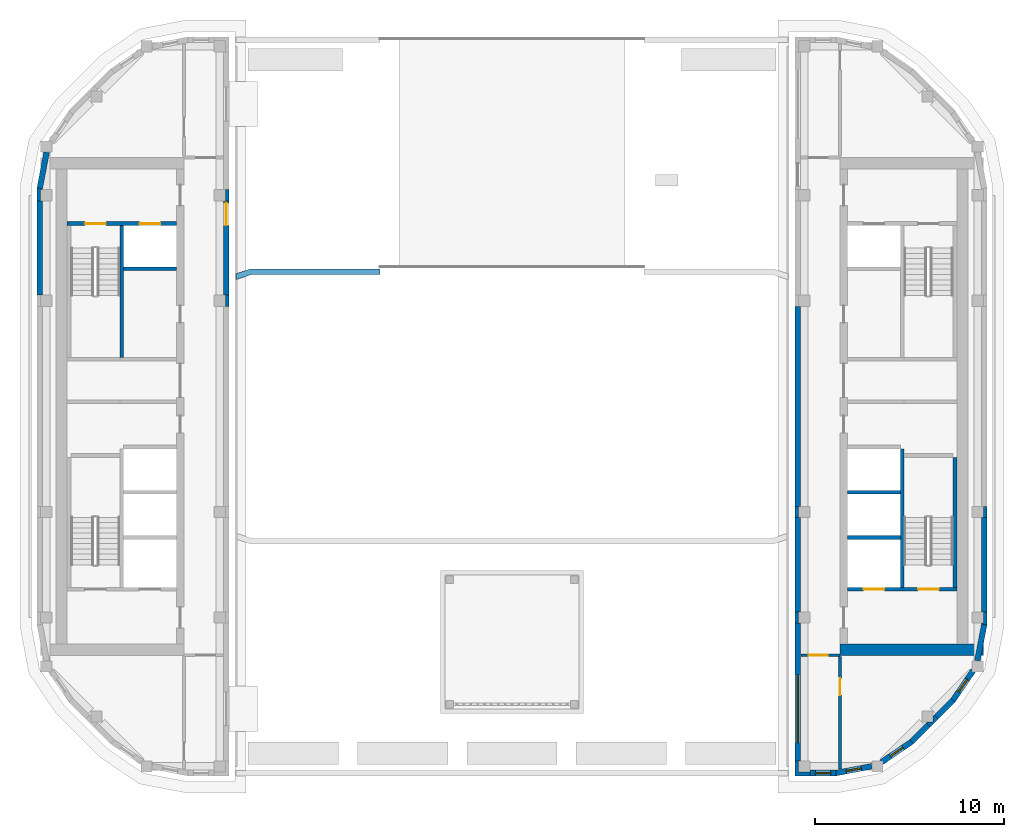
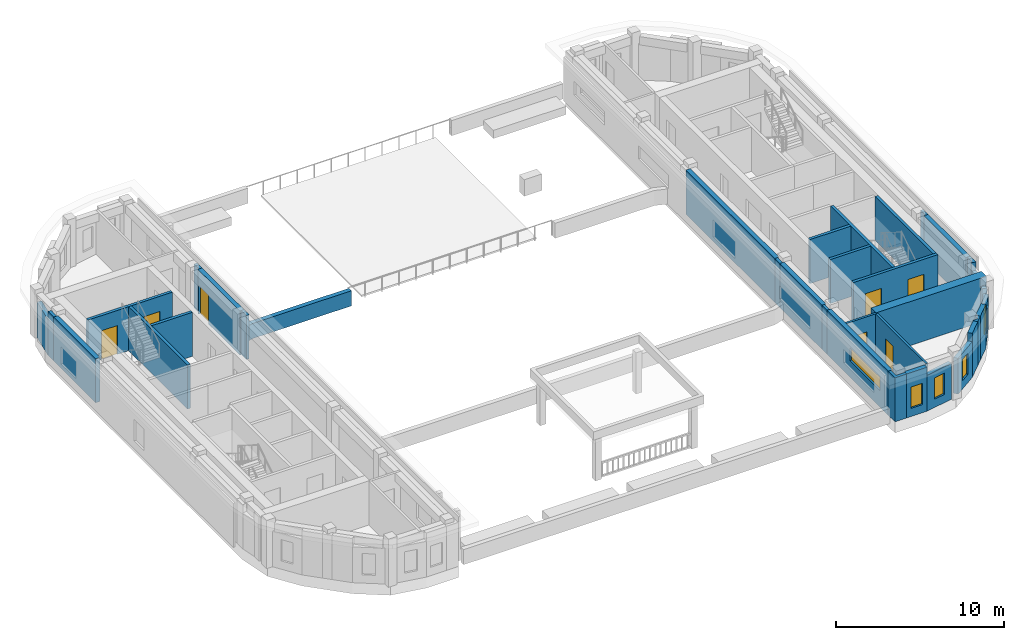
# One storey, part 3 of 14: 35 walls, 7 doors, 5 windows, 12 openings.
"""IFC4 building model written with IfcOpenShell, lengths in metres."""

from ifc_helpers import new_model, si_unit, direction, frame, frame_2d, origin, place, context, subcontext, project, spatial, polyline, rectangle, outline, extrude, material, layer, layer_set, type_object, element, fill, save


model = new_model("IFC4")

# Units and contexts
model_context = context("Model", 3, precision=1e-05, world=origin(), true_north=direction((0.0, 1.0)))
body_context = subcontext(model_context, "Body", "Model", "MODEL_VIEW")
ifc_project = project(units=[si_unit("LENGTHUNIT", "METRE"), si_unit("AREAUNIT", "SQUARE_METRE"), si_unit("VOLUMEUNIT", "CUBIC_METRE"), si_unit("PLANEANGLEUNIT", "RADIAN"), si_unit("MASSUNIT", "GRAM", prefix="KILO")], contexts=[model_context])

# Site, building, storey
site_placement = place(None, origin())
site = spatial("IfcSite", under=ifc_project, at=site_placement, CompositionType="ELEMENT")
building_placement = place(site_placement, origin())
building = spatial("IfcBuilding", under=site, at=building_placement, Name="Kiln Ring Residences", CompositionType="ELEMENT")
storey_placement = place(building_placement, frame((0.0, 0.0, 299.89990234375)))
storey = spatial("IfcBuildingStorey", under=building, at=storey_placement, Name="L77 Crown", CompositionType="ELEMENT", Elevation=299.89990234375)

# Walls
ifc_material_1 = material(Name="Gypsum shaft wall system")
ifc_layer_1 = layer(ifc_material_1, 0.199951171875)
ifc_layer_set_1 = layer_set([ifc_layer_1], Name="CORE-SHAFT-WALL-200")
wall_type_1 = type_object("IfcWallType", Name="CORE-SHAFT-WALL-200", PredefinedType="PARTITIONING", material=ifc_layer_set_1)
for number, where, z_axis, x_axis, name in (
    (1, (-17.800048828125, 7.300048828125, 0.0), (0.0, 0.0, 1.0), (-1.0, 0.0, 0.0), "Core partition west L77 Crown 7"),
    (2, (17.800048828125, -6.949951171875, 0.0), (0.0, 0.0, 1.0), (1.0, 0.0, 0.0), "Core partition east L77 Crown 2"),
    (3, (17.800048828125, -4.550048828125, 0.0), (0.0, 0.0, 1.0), (1.0, 0.0, 0.0), "Core partition east L77 Crown 3"),
):
    element("IfcWall", number, at=place(storey_placement, frame(where, z_axis=z_axis, x_axis=x_axis)), inside=storey, type_object=wall_type_1, Name=name, PredefinedType="PARTITIONING", context=body_context, shape_type="SweptSolid", body=[
        extrude(rectangle(XDim=2.800048828125, YDim=0.199951171875, at=frame_2d((1.39990234375, 0.0))), origin(), (0.0, 0.0, 1.0), 3.2001953125),
    ])
ifc_material_2 = material(Name="Concrete C40/50", Category="concrete")
ifc_layer_2 = layer(ifc_material_2, 0.199951171875)
ifc_layer_set_2 = layer_set([ifc_layer_2], Name="CORE-WALL-RC200")
wall_type_2 = type_object("IfcWallType", Name="CORE-WALL-RC200", PredefinedType="SHEAR", material=ifc_layer_set_2)
wall_1_placement = place(storey_placement, frame((-20.699951171875, 2.60009765625, 0.0), z_axis=(0.0, 0.0, 1.0), x_axis=(0.0, 1.0, 0.0)))
element("IfcWall", 4, at=wall_1_placement, inside=storey, type_object=wall_type_2, Name="Core wall west L77 Crown 1", PredefinedType="SHEAR", context=body_context, shape_type="SweptSolid", body=[
    extrude(rectangle(XDim=7.0, YDim=0.199951171875, at=frame_2d((3.5, 0.0))), origin(), (0.0, 0.0, 1.0), 3.2001953125),
])

# Wall, openings, doors
wall_2_placement = place(storey_placement, frame((-17.800048828125, 9.699951171875, 0.0), z_axis=(0.0, 0.0, 1.0), x_axis=(-1.0, 0.0, 0.0)))
wall_2 = element("IfcWall", 5, at=wall_2_placement, inside=storey, type_object=wall_type_2, Name="Core wall west L77 Crown 9", PredefinedType="SHEAR", context=body_context, shape_type="SweptSolid", body=[
    extrude(rectangle(XDim=5.800048828125, YDim=0.199951171875, at=frame_2d((2.89990234375, 0.0))), origin(), (0.0, 0.0, 1.0), 3.2001953125),
])
opening_1_placement = place(wall_2_placement, frame((0.85009765625, 0.0, 0.0)))
opening_1 = element("IfcOpeningElement", 6, at=opening_1_placement, cuts=wall_2, Name="Opening L77-CW04", PredefinedType="OPENING", context=body_context, shape_type="SweptSolid", body=[
    extrude(rectangle(XDim=1.10009765625, YDim=2.10009765625, at=frame_2d((0.550048828125, 1.050048828125))), frame((0.0, 0.10986328125, 0.0), z_axis=(0.0, -1.0, 0.0), x_axis=(1.0, 0.0, 0.0)), (0.0, 0.0, 1.0), 0.219970703125),
])
opening_2_placement = place(wall_2_placement, frame((3.75, 0.0, 0.0)))
opening_2 = element("IfcOpeningElement", 7, at=opening_2_placement, cuts=wall_2, Name="Opening L77-CW07", PredefinedType="OPENING", context=body_context, shape_type="SweptSolid", body=[
    extrude(rectangle(XDim=1.10009765625, YDim=2.10009765625, at=frame_2d((0.550048828125, 1.050048828125))), frame((0.0, 0.10986328125, 0.0), z_axis=(0.0, -1.0, 0.0), x_axis=(1.0, 0.0, 0.0)), (0.0, 0.0, 1.0), 0.219970703125),
])
ifc_material_3 = material(Name="Steel door leaf", Category="steel")
door_type_1 = type_object("IfcDoorType", Name="CORE-DOOR-LD", OperationType="DOUBLE_DOOR_SLIDING", PredefinedType="DOOR", material=ifc_material_3)
door_1_placement = place(opening_1_placement, origin())
door_1 = element("IfcDoor", 8, at=door_1_placement, inside=storey, type_object=door_type_1, Name="LD W-FF L77-CW04", OperationType="DOUBLE_DOOR_SLIDING", OverallHeight=2.10009765625, OverallWidth=1.10009765625, PredefinedType="DOOR", context=body_context, shape_type="SweptSolid", body=[
    extrude(rectangle(XDim=1.10009765625, YDim=2.10009765625, at=frame_2d((0.550048828125, 1.050048828125))), frame((0.0, 0.02490234375, 0.0), z_axis=(0.0, -1.0, 0.0), x_axis=(1.0, 0.0, 0.0)), (0.0, 0.0, 1.0), 0.050048828125),
])
fill(opening_1, door_1)
ifc_material_4 = material(Name="Steel door leaf", Category="steel")
door_type_2 = type_object("IfcDoorType", Name="CORE-DOOR-STAIR", OperationType="SINGLE_SWING_LEFT", PredefinedType="DOOR", material=ifc_material_4)
door_2_placement = place(opening_2_placement, origin())
door_2 = element("IfcDoor", 9, at=door_2_placement, inside=storey, type_object=door_type_2, Name="Stair W-STN L77-CW07", OperationType="SINGLE_SWING_LEFT", OverallHeight=2.10009765625, OverallWidth=1.10009765625, PredefinedType="DOOR", context=body_context, shape_type="SweptSolid", body=[
    extrude(rectangle(XDim=1.10009765625, YDim=2.10009765625, at=frame_2d((0.550048828125, 1.050048828125))), frame((0.0, 0.02490234375, 0.0), z_axis=(0.0, -1.0, 0.0), x_axis=(1.0, 0.0, 0.0)), (0.0, 0.0, 1.0), 0.050048828125),
])
fill(opening_2, door_2)

# Wall
wall_3_placement = place(storey_placement, frame((20.699951171875, -9.60009765625, 0.0), z_axis=(0.0, 0.0, 1.0), x_axis=(0.0, 1.0, 0.0)))
element("IfcWall", 10, at=wall_3_placement, inside=storey, type_object=wall_type_2, Name="Core wall east L77 Crown 2", PredefinedType="SHEAR", context=body_context, shape_type="SweptSolid", body=[
    extrude(rectangle(XDim=7.35009765625, YDim=0.199951171875, at=frame_2d((3.675048828125, 0.0))), origin(), (0.0, 0.0, 1.0), 3.2001953125),
])

# Wall, openings, doors
wall_4_placement = place(storey_placement, frame((17.800048828125, -9.699951171875, 0.0), z_axis=(0.0, 0.0, 1.0), x_axis=(1.0, 0.0, 0.0)))
wall_4 = element("IfcWall", 11, at=wall_4_placement, inside=storey, type_object=wall_type_2, Name="Core wall east L77 Crown 8", PredefinedType="SHEAR", context=body_context, shape_type="SweptSolid", body=[
    extrude(rectangle(XDim=5.800048828125, YDim=0.199951171875, at=frame_2d((2.89990234375, 0.0))), origin(), (0.0, 0.0, 1.0), 3.2001953125),
])
opening_3_placement = place(wall_4_placement, frame((0.85009765625, 0.0, 0.0)))
opening_3 = element("IfcOpeningElement", 12, at=opening_3_placement, cuts=wall_4, Name="Opening L77-CE01", PredefinedType="OPENING", context=body_context, shape_type="SweptSolid", body=[
    extrude(rectangle(XDim=1.10009765625, YDim=2.10009765625, at=frame_2d((0.550048828125, 1.050048828125))), frame((0.0, 0.10986328125, 0.0), z_axis=(0.0, -1.0, 0.0), x_axis=(1.0, 0.0, 0.0)), (0.0, 0.0, 1.0), 0.219970703125),
])
opening_4_placement = place(wall_4_placement, frame((3.75, 0.0, 0.0)))
opening_4 = element("IfcOpeningElement", 13, at=opening_4_placement, cuts=wall_4, Name="Opening L77-CE08", PredefinedType="OPENING", context=body_context, shape_type="SweptSolid", body=[
    extrude(rectangle(XDim=1.10009765625, YDim=2.10009765625, at=frame_2d((0.550048828125, 1.050048828125))), frame((0.0, 0.10986328125, 0.0), z_axis=(0.0, -1.0, 0.0), x_axis=(1.0, 0.0, 0.0)), (0.0, 0.0, 1.0), 0.219970703125),
])
door_3_placement = place(opening_3_placement, origin())
door_3 = element("IfcDoor", 14, at=door_3_placement, inside=storey, type_object=door_type_1, Name="LD E-SV L77-CE01", OperationType="DOUBLE_DOOR_SLIDING", OverallHeight=2.10009765625, OverallWidth=1.10009765625, PredefinedType="DOOR", context=body_context, shape_type="SweptSolid", body=[
    extrude(rectangle(XDim=1.10009765625, YDim=2.10009765625, at=frame_2d((0.550048828125, 1.050048828125))), frame((0.0, 0.02490234375, 0.0), z_axis=(0.0, -1.0, 0.0), x_axis=(1.0, 0.0, 0.0)), (0.0, 0.0, 1.0), 0.050048828125),
])
fill(opening_3, door_3)
door_4_placement = place(opening_4_placement, origin())
door_4 = element("IfcDoor", 15, at=door_4_placement, inside=storey, type_object=door_type_2, Name="Stair E-STS L77-CE08", OperationType="SINGLE_SWING_RIGHT", OverallHeight=2.10009765625, OverallWidth=1.10009765625, PredefinedType="DOOR", context=body_context, shape_type="SweptSolid", body=[
    extrude(rectangle(XDim=1.10009765625, YDim=2.10009765625, at=frame_2d((0.550048828125, 1.050048828125))), frame((0.0, 0.02490234375, 0.0), z_axis=(0.0, -1.0, 0.0), x_axis=(1.0, 0.0, 0.0)), (0.0, 0.0, 1.0), 0.050048828125),
])
fill(opening_4, door_4)

# Walls
wall_5_placement = place(storey_placement, frame((23.5, -9.60009765625, 0.0), z_axis=(0.0, 0.0, 1.0), x_axis=(0.0, 1.0, 0.0)))
element("IfcWall", 16, at=wall_5_placement, inside=storey, type_object=wall_type_2, Name="Core wall east L77 Crown 11", PredefinedType="SHEAR", context=body_context, shape_type="SweptSolid", body=[
    extrude(rectangle(XDim=6.900146484375, YDim=0.199951171875, at=frame_2d((3.4501953125, 0.0))), origin(), (0.0, 0.0, 1.0), 3.2001953125),
])
ifc_material_5 = material(Name="Concrete C60/75", Category="concrete")
ifc_layer_3 = layer(ifc_material_5, 0.60009765625)
ifc_layer_set_3 = layer_set([ifc_layer_3], Name="CORE-WALL-RC600")
wall_type_3 = type_object("IfcWallType", Name="CORE-WALL-RC600", PredefinedType="SHEAR", material=ifc_layer_set_3)
wall_6_placement = place(storey_placement, frame((17.39990234375, -12.89990234375, 0.0), z_axis=(0.0, 0.0, 1.0), x_axis=(1.0, 0.0, 0.0)))
element("IfcWall", 17, at=wall_6_placement, inside=storey, type_object=wall_type_3, Name="Core wall east L77 Crown 5", PredefinedType="SHEAR", context=body_context, shape_type="SweptSolid", body=[
    extrude(rectangle(XDim=7.60009765625, YDim=0.60009765625, at=frame_2d((3.800048828125, 0.0))), origin(), (0.0, 0.0, 1.0), 3.2001953125),
])

# Wall, opening, door
ifc_material_6 = material(Name="Brick masonry, dark clay brick", Category="masonry")
ifc_layer_4 = layer(ifc_material_6, 0.300048828125)
ifc_layer_set_4 = layer_set([ifc_layer_4], Name="EW-300 BRICK WALL")
wall_type_4 = type_object("IfcWallType", Name="EW-300 BRICK WALL", PredefinedType="SOLIDWALL", material=ifc_layer_set_4)
wall_7_placement = place(storey_placement, frame((-15.14990234375, 5.89990234375, 0.0), z_axis=(0.0, 0.0, 1.0), x_axis=(0.0, 1.0, 0.0)))
wall_7 = element("IfcWall", 18, at=wall_7_placement, inside=storey, type_object=wall_type_4, Name="Facade wall L77 Crown 7", PredefinedType="SOLIDWALL", context=body_context, shape_type="SweptSolid", body=[
    extrude(rectangle(XDim=5.0, YDim=0.300048828125, at=frame_2d((2.5, 0.0))), origin(), (0.0, 0.0, 1.0), 3.2001953125),
])
opening_5_placement = place(wall_7_placement, frame((3.699951171875, 0.0, 0.0)))
opening_5 = element("IfcOpeningElement", 19, at=opening_5_placement, cuts=wall_7, Name="Opening RD-W", PredefinedType="OPENING", context=body_context, shape_type="SweptSolid", body=[
    extrude(rectangle(XDim=1.199951171875, YDim=2.10009765625, at=frame_2d((0.60009765625, 1.050048828125))), frame((0.0, 0.159912109375, 0.0), z_axis=(0.0, -1.0, 0.0), x_axis=(1.0, 0.0, 0.0)), (0.0, 0.0, 1.0), 0.320068359375),
])
ifc_material_7 = material(Name="Steel door leaf", Category="steel")
door_type_3 = type_object("IfcDoorType", Name="ROOF ACCESS DOOR 1200", OperationType="SINGLE_SWING_LEFT", PredefinedType="DOOR", material=ifc_material_7)
door_5_placement = place(opening_5_placement, origin())
door_5 = element("IfcDoor", 20, at=door_5_placement, inside=storey, type_object=door_type_3, Name="Roof door west peak", OperationType="SINGLE_SWING_LEFT", OverallHeight=2.10009765625, OverallWidth=1.199951171875, PredefinedType="DOOR", context=body_context, shape_type="SweptSolid", body=[
    extrude(rectangle(XDim=1.199951171875, YDim=2.10009765625, at=frame_2d((0.60009765625, 1.050048828125))), frame((0.0, 0.02490234375, 0.0), z_axis=(0.0, -1.0, 0.0), x_axis=(1.0, 0.0, 0.0)), (0.0, 0.0, 1.0), 0.050048828125),
])
fill(opening_5, door_5)

# Walls
wall_8_placement = place(storey_placement, frame((-24.687744140625, 13.485107421875, 0.0), z_axis=(0.0, 0.0, 1.0), x_axis=(-0.187354129902, -0.982292436095, 0.0)))
element("IfcWall", 21, at=wall_8_placement, inside=storey, type_object=wall_type_4, Name="Facade wall L77 Crown 15", PredefinedType="SOLIDWALL", context=body_context, shape_type="SweptSolid", body=[
    extrude(rectangle(XDim=1.94677734375, YDim=0.300048828125, at=frame_2d((0.973388671875, 0.0))), origin(), (0.0, 0.0, 1.0), 2.60009765625),
])
wall_9_placement = place(storey_placement, frame((-25.050048828125, 10.89990234375, 0.0), z_axis=(0.0, 0.0, 1.0), x_axis=(0.0, -1.0, 0.0)))
element("IfcWall", 22, at=wall_9_placement, inside=storey, type_object=wall_type_4, Name="Facade wall L77 Crown 16", PredefinedType="SOLIDWALL", context=body_context, shape_type="SweptSolid", body=[
    extrude(rectangle(XDim=5.0, YDim=0.300048828125, at=frame_2d((2.5, 0.0))), origin(), (0.0, 0.0, 1.0), 3.2001953125),
])
wall_10_placement = place(storey_placement, frame((15.14990234375, 5.300048828125, 0.0), z_axis=(0.0, 0.0, 1.0), x_axis=(0.0, -1.0, 0.0)))
element("IfcWall", 23, at=wall_10_placement, inside=storey, type_object=wall_type_4, Name="Facade wall L77 Crown 25", PredefinedType="SOLIDWALL", context=body_context, shape_type="SweptSolid", body=[
    extrude(rectangle(XDim=10.60009765625, YDim=0.300048828125, at=frame_2d((5.300048828125, 0.0))), origin(), (0.0, 0.0, 1.0), 3.2001953125),
])
wall_11_placement = place(storey_placement, frame((15.14990234375, -5.89990234375, 0.0), z_axis=(0.0, 0.0, 1.0), x_axis=(0.0, -1.0, 0.0)))
element("IfcWall", 24, at=wall_11_placement, inside=storey, type_object=wall_type_4, Name="Facade wall L77 Crown 26", PredefinedType="SOLIDWALL", context=body_context, shape_type="SweptSolid", body=[
    extrude(rectangle(XDim=5.0, YDim=0.300048828125, at=frame_2d((2.5, 0.0))), origin(), (0.0, 0.0, 1.0), 3.2001953125),
])

# Wall, opening, window
wall_12_placement = place(storey_placement, frame((15.14990234375, -11.5, 0.0), z_axis=(0.0, 0.0, 1.0), x_axis=(0.0, -1.0, 0.0)))
wall_12 = element("IfcWall", 25, at=wall_12_placement, inside=storey, type_object=wall_type_4, Name="Facade wall L77 Crown 27", PredefinedType="SOLIDWALL", context=body_context, shape_type="SweptSolid", body=[
    extrude(rectangle(XDim=7.300048828125, YDim=0.300048828125, at=frame_2d((3.64990234375, 0.0))), origin(), (0.0, 0.0, 1.0), 3.2001953125),
])
opening_6_placement = place(wall_12_placement, frame((2.737548828125, 0.0, 1.199951171875)))
opening_6 = element("IfcOpeningElement", 26, at=opening_6_placement, cuts=wall_12, Name="Opening W4", PredefinedType="OPENING", context=body_context, shape_type="SweptSolid", body=[
    extrude(rectangle(XDim=3.60009765625, YDim=0.949951171875, at=frame_2d((1.800048828125, 0.47509765625))), frame((0.0, 0.159912109375, 0.0), z_axis=(0.0, -1.0, 0.0), x_axis=(1.0, 0.0, 0.0)), (0.0, 0.0, 1.0), 0.320068359375),
])
ifc_material_8 = material(Name="Aluminium frame with double glazing", Category="aluminium")
window_type_1 = type_object("IfcWindowType", Name="WINDOW 3600 x 950", PartitioningType="SINGLE_PANEL", PredefinedType="WINDOW", material=ifc_material_8)
window_1_placement = place(opening_6_placement, origin())
window_1 = element("IfcWindow", 27, at=window_1_placement, inside=storey, type_object=window_type_1, Name="Window L77 Crown 12", OverallHeight=0.949951171875, OverallWidth=3.60009765625, PartitioningType="SINGLE_PANEL", PredefinedType="WINDOW", context=body_context, shape_type="SweptSolid", body=[
    extrude(rectangle(XDim=3.60009765625, YDim=0.949951171875, at=frame_2d((1.800048828125, 0.47509765625))), frame((0.0, 0.030029296875, 0.0), z_axis=(0.0, -1.0, 0.0), x_axis=(1.0, 0.0, 0.0)), (0.0, 0.0, 1.0), 0.06005859375),
])
fill(opening_6, window_1)

wall_13_placement = place(storey_placement, frame((15.800048828125, -19.449951171875, 0.0), z_axis=(0.0, 0.0, 1.0), x_axis=(1.0, 0.0, 0.0)))
wall_13 = element("IfcWall", 28, at=wall_13_placement, inside=storey, type_object=wall_type_4, Name="Facade wall L77 Crown 28", PredefinedType="SOLIDWALL", context=body_context, shape_type="SweptSolid", body=[
    extrude(rectangle(XDim=1.39990234375, YDim=0.300048828125, at=frame_2d((0.699951171875, 0.0))), origin(), (0.0, 0.0, 1.0), 3.2001953125),
])
opening_7_placement = place(wall_13_placement, frame((0.300048828125, 0.0, 0.60009765625)))
opening_7 = element("IfcOpeningElement", 29, at=opening_7_placement, cuts=wall_13, Name="Opening W5", PredefinedType="OPENING", context=body_context, shape_type="SweptSolid", body=[
    extrude(rectangle(XDim=0.800048828125, YDim=1.550048828125, at=frame_2d((0.39990234375, 0.77490234375))), frame((0.0, 0.159912109375, 0.0), z_axis=(0.0, -1.0, 0.0), x_axis=(1.0, 0.0, 0.0)), (0.0, 0.0, 1.0), 0.320068359375),
])
ifc_material_9 = material(Name="Aluminium frame with double glazing", Category="aluminium")
window_type_2 = type_object("IfcWindowType", Name="WINDOW 800 x 1550", PartitioningType="SINGLE_PANEL", PredefinedType="WINDOW", material=ifc_material_9)
window_2_placement = place(opening_7_placement, origin())
window_2 = element("IfcWindow", 30, at=window_2_placement, inside=storey, type_object=window_type_2, Name="Window L77 Crown 13", OverallHeight=1.550048828125, OverallWidth=0.800048828125, PartitioningType="SINGLE_PANEL", PredefinedType="WINDOW", context=body_context, shape_type="SweptSolid", body=[
    extrude(rectangle(XDim=0.800048828125, YDim=1.550048828125, at=frame_2d((0.39990234375, 0.77490234375))), frame((0.0, 0.030029296875, 0.0), z_axis=(0.0, -1.0, 0.0), x_axis=(1.0, 0.0, 0.0)), (0.0, 0.0, 1.0), 0.06005859375),
])
fill(opening_7, window_2)

wall_14_placement = place(storey_placement, frame((17.171875, -19.45263671875, 0.0), z_axis=(0.0, 0.0, 1.0), x_axis=(0.982286967073, 0.187382801553, 0.0)))
wall_14 = element("IfcWall", 31, at=wall_14_placement, inside=storey, type_object=wall_type_4, Name="Facade wall L77 Crown 29", PredefinedType="SOLIDWALL", context=body_context, shape_type="SweptSolid", body=[
    extrude(rectangle(XDim=1.94775390625, YDim=0.300048828125, at=frame_2d((0.973876953125, 0.0))), origin(), (0.0, 0.0, 1.0), 2.60009765625),
])
opening_8_placement = place(wall_14_placement, frame((0.573974609375, 0.0, 0.60009765625)))
opening_8 = element("IfcOpeningElement", 32, at=opening_8_placement, cuts=wall_14, Name="Opening W5", PredefinedType="OPENING", context=body_context, shape_type="SweptSolid", body=[
    extrude(rectangle(XDim=0.800048828125, YDim=1.550048828125, at=frame_2d((0.39990234375, 0.77490234375))), frame((0.0, 0.159912109375, 0.0), z_axis=(0.0, -1.0, 0.0), x_axis=(1.0, 0.0, 0.0)), (0.0, 0.0, 1.0), 0.320068359375),
])
window_3_placement = place(opening_8_placement, origin())
window_3 = element("IfcWindow", 33, at=window_3_placement, inside=storey, type_object=window_type_2, Name="Window L77 Crown 14", OverallHeight=1.550048828125, OverallWidth=0.800048828125, PartitioningType="SINGLE_PANEL", PredefinedType="WINDOW", context=body_context, shape_type="SweptSolid", body=[
    extrude(rectangle(XDim=0.800048828125, YDim=1.550048828125, at=frame_2d((0.39990234375, 0.77490234375))), frame((0.0, 0.030029296875, 0.0), z_axis=(0.0, -1.0, 0.0), x_axis=(1.0, 0.0, 0.0)), (0.0, 0.0, 1.0), 0.06005859375),
])
fill(opening_8, window_3)

wall_15_placement = place(storey_placement, frame((19.601806640625, -18.873779296875, 0.0), z_axis=(0.0, 0.0, 1.0), x_axis=(0.827022075481, 0.562169446579, 0.0)))
wall_15 = element("IfcWall", 34, at=wall_15_placement, inside=storey, type_object=wall_type_4, Name="Facade wall L77 Crown 30", PredefinedType="SOLIDWALL", context=body_context, shape_type="SweptSolid", body=[
    extrude(rectangle(XDim=1.94775390625, YDim=0.300048828125, at=frame_2d((0.973876953125, 0.0))), origin(), (0.0, 0.0, 1.0), 2.60009765625),
])
opening_9_placement = place(wall_15_placement, frame((0.573974609375, 0.0, 0.60009765625)))
opening_9 = element("IfcOpeningElement", 35, at=opening_9_placement, cuts=wall_15, Name="Opening W5", PredefinedType="OPENING", context=body_context, shape_type="SweptSolid", body=[
    extrude(rectangle(XDim=0.800048828125, YDim=1.550048828125, at=frame_2d((0.39990234375, 0.77490234375))), frame((0.0, 0.159912109375, 0.0), z_axis=(0.0, -1.0, 0.0), x_axis=(1.0, 0.0, 0.0)), (0.0, 0.0, 1.0), 0.320068359375),
])
window_4_placement = place(opening_9_placement, origin())
window_4 = element("IfcWindow", 36, at=window_4_placement, inside=storey, type_object=window_type_2, Name="Window L77 Crown 15", OverallHeight=1.550048828125, OverallWidth=0.800048828125, PartitioningType="SINGLE_PANEL", PredefinedType="WINDOW", context=body_context, shape_type="SweptSolid", body=[
    extrude(rectangle(XDim=0.800048828125, YDim=1.550048828125, at=frame_2d((0.39990234375, 0.77490234375))), frame((0.0, 0.030029296875, 0.0), z_axis=(0.0, -1.0, 0.0), x_axis=(1.0, 0.0, 0.0)), (0.0, 0.0, 1.0), 0.06005859375),
])
fill(opening_9, window_4)

# Walls
for number, where, z_axis, x_axis, name in (
    (37, (21.19091796875, -17.796875, 0.0), (0.0, 0.0, 1.0), (0.707106781187, 0.707106781187, 0.0), "Facade wall L77 Crown 31"),
    (38, (22.506103515625, -16.481689453125, 0.0), (0.0, 0.0, 1.0), (0.707203678312, 0.707009870781, 0.0), "Facade wall L77 Crown 32"),
):
    element("IfcWall", number, at=place(storey_placement, frame(where, z_axis=z_axis, x_axis=x_axis)), inside=storey, type_object=wall_type_4, Name=name, PredefinedType="SOLIDWALL", context=body_context, shape_type="SweptSolid", body=[
        extrude(rectangle(XDim=1.259765625, YDim=0.300048828125, at=frame_2d((0.6298828125, 0.0))), origin(), (0.0, 0.0, 1.0), 3.2001953125),
    ])

# Wall, opening, window
wall_16_placement = place(storey_placement, frame((23.37890625, -15.61279296875, 0.0), z_axis=(0.0, 0.0, 1.0), x_axis=(0.562025435703, 0.827119948752, 0.0)))
wall_16 = element("IfcWall", 39, at=wall_16_placement, inside=storey, type_object=wall_type_4, Name="Facade wall L77 Crown 33", PredefinedType="SOLIDWALL", context=body_context, shape_type="SweptSolid", body=[
    extrude(rectangle(XDim=1.94775390625, YDim=0.300048828125, at=frame_2d((0.973876953125, 0.0))), origin(), (0.0, 0.0, 1.0), 2.60009765625),
])
opening_10_placement = place(wall_16_placement, frame((0.573974609375, 0.0, 0.60009765625)))
opening_10 = element("IfcOpeningElement", 40, at=opening_10_placement, cuts=wall_16, Name="Opening W5", PredefinedType="OPENING", context=body_context, shape_type="SweptSolid", body=[
    extrude(rectangle(XDim=0.800048828125, YDim=1.550048828125, at=frame_2d((0.39990234375, 0.77490234375))), frame((0.0, 0.159912109375, 0.0), z_axis=(0.0, -1.0, 0.0), x_axis=(1.0, 0.0, 0.0)), (0.0, 0.0, 1.0), 0.320068359375),
])
window_5_placement = place(opening_10_placement, origin())
window_5 = element("IfcWindow", 41, at=window_5_placement, inside=storey, type_object=window_type_2, Name="Window L77 Crown 16", OverallHeight=1.550048828125, OverallWidth=0.800048828125, PartitioningType="SINGLE_PANEL", PredefinedType="WINDOW", context=body_context, shape_type="SweptSolid", body=[
    extrude(rectangle(XDim=0.800048828125, YDim=1.550048828125, at=frame_2d((0.39990234375, 0.77490234375))), frame((0.0, 0.030029296875, 0.0), z_axis=(0.0, -1.0, 0.0), x_axis=(1.0, 0.0, 0.0)), (0.0, 0.0, 1.0), 0.06005859375),
])
fill(opening_10, window_5)

# Walls
wall_17_placement = place(storey_placement, frame((24.687744140625, -13.485107421875, 0.0), z_axis=(0.0, 0.0, 1.0), x_axis=(0.187354129902, 0.982292436095, 0.0)))
element("IfcWall", 42, at=wall_17_placement, inside=storey, type_object=wall_type_4, Name="Facade wall L77 Crown 34", PredefinedType="SOLIDWALL", context=body_context, shape_type="SweptSolid", body=[
    extrude(rectangle(XDim=1.94677734375, YDim=0.300048828125, at=frame_2d((0.973388671875, 0.0))), origin(), (0.0, 0.0, 1.0), 2.60009765625),
])
wall_18_placement = place(storey_placement, frame((25.050048828125, -10.89990234375, 0.0), z_axis=(0.0, 0.0, 1.0), x_axis=(0.0, 1.0, 0.0)))
element("IfcWall", 43, at=wall_18_placement, inside=storey, type_object=wall_type_4, Name="Facade wall L77 Crown 35", PredefinedType="SOLIDWALL", context=body_context, shape_type="SweptSolid", body=[
    extrude(rectangle(XDim=5.0, YDim=0.300048828125, at=frame_2d((2.5, 0.0))), origin(), (0.0, 0.0, 1.0), 3.2001953125),
])
placement = place(storey_placement, origin())
element("IfcWall", 44, at=placement, inside=storey, type_object=wall_type_4, Name="Corner wall L77 Crown 4", PredefinedType="SOLIDWALL", context=body_context, shape_type="SweptSolid", body=[
    extrude(outline(polyline([(-25.199951171875, 11.600830078125), (-25.199951171875, 10.89990234375), (-25.0, 10.89990234375), (-25.0, 11.5), (-24.89990234375, 11.5), (-24.89990234375, 11.56103515625), (-24.9033203125, 11.544189453125), (-25.199951171875, 11.600830078125)])), origin(), (0.0, 0.0, 1.0), 3.2001953125),
])
element("IfcWall", 45, at=placement, inside=storey, type_object=wall_type_4, Name="Corner wall L77 Crown 7", PredefinedType="SOLIDWALL", context=body_context, shape_type="SweptSolid", body=[
    extrude(outline(polyline([(-15.199951171875, 11.5), (-15.199951171875, 10.89990234375), (-15.0, 10.89990234375), (-15.0, 11.5), (-15.199951171875, 11.5)])), origin(), (0.0, 0.0, 1.0), 3.2001953125),
])
element("IfcWall", 46, at=placement, inside=storey, type_object=wall_type_4, Name="Corner wall L77 Crown 8", PredefinedType="SOLIDWALL", context=body_context, shape_type="SweptSolid", body=[
    extrude(outline(polyline([(-15.199951171875, 5.300048828125), (-15.0, 5.300048828125), (-15.0, 5.89990234375), (-15.300048828125, 5.89990234375), (-15.199951171875, 5.89990234375), (-15.199951171875, 5.300048828125)])), origin(), (0.0, 0.0, 1.0), 3.2001953125),
])
element("IfcWall", 47, at=placement, inside=storey, type_object=wall_type_4, Name="Corner wall L77 Crown 16", PredefinedType="SOLIDWALL", context=body_context, shape_type="SweptSolid", body=[
    extrude(outline(polyline([(25.0, -5.89990234375), (25.199951171875, -5.89990234375), (25.199951171875, -5.300048828125), (25.0, -5.300048828125), (25.0, -5.89990234375)])), origin(), (0.0, 0.0, 1.0), 3.2001953125),
])
element("IfcWall", 48, at=placement, inside=storey, type_object=wall_type_4, Name="Corner wall L77 Crown 17", PredefinedType="SOLIDWALL", context=body_context, shape_type="SweptSolid", body=[
    extrude(outline(polyline([(25.199951171875, -11.600830078125), (25.199951171875, -10.89990234375), (25.0, -10.89990234375), (25.0, -11.5), (24.89990234375, -11.5), (24.89990234375, -11.56103515625), (24.9033203125, -11.544189453125), (25.199951171875, -11.600830078125)])), origin(), (0.0, 0.0, 1.0), 3.2001953125),
])
element("IfcWall", 49, at=placement, inside=storey, type_object=wall_type_4, Name="Corner wall L77 Crown 18", PredefinedType="SOLIDWALL", context=body_context, shape_type="SweptSolid", body=[
    extrude(outline(polyline([(21.9755859375, -16.800048828125), (22.18798828125, -17.01220703125), (22.612060546875, -16.587890625), (22.39990234375, -16.375732421875), (22.346435546875, -16.42919921875), (22.346435546875, -16.746337890625), (22.029296875, -16.746337890625), (21.9755859375, -16.800048828125)])), origin(), (0.0, 0.0, 1.0), 3.2001953125),
])
element("IfcWall", 50, at=placement, inside=storey, type_object=wall_type_4, Name="Corner wall L77 Crown 19", PredefinedType="SOLIDWALL", context=body_context, shape_type="SweptSolid", body=[
    extrude(outline(polyline([(15.0, -18.800048828125), (15.0, -19.60009765625), (15.800048828125, -19.60009765625), (15.800048828125, -19.39990234375), (15.199951171875, -19.39990234375), (15.199951171875, -18.800048828125), (15.0, -18.800048828125)])), origin(), (0.0, 0.0, 1.0), 3.2001953125),
])
element("IfcWall", 51, at=placement, inside=storey, type_object=wall_type_4, Name="Corner wall L77 Crown 20", PredefinedType="SOLIDWALL", context=body_context, shape_type="SweptSolid", body=[
    extrude(outline(polyline([(15.199951171875, -10.89990234375), (15.0, -10.89990234375), (15.0, -11.5), (15.199951171875, -11.5), (15.199951171875, -10.89990234375)])), origin(), (0.0, 0.0, 1.0), 3.2001953125),
])
element("IfcWall", 52, at=placement, inside=storey, type_object=wall_type_4, Name="Corner wall L77 Crown 21", PredefinedType="SOLIDWALL", context=body_context, shape_type="SweptSolid", body=[
    extrude(outline(polyline([(15.199951171875, -5.300048828125), (15.0, -5.300048828125), (15.0, -5.89990234375), (15.300048828125, -5.89990234375), (15.199951171875, -5.89990234375), (15.199951171875, -5.300048828125)])), origin(), (0.0, 0.0, 1.0), 3.2001953125),
])
ifc_material_10 = material(Name="Brick masonry, dark clay brick", Category="masonry")
ifc_layer_5 = layer(ifc_material_10, 0.300048828125)
ifc_layer_set_5 = layer_set([ifc_layer_5], Name="PARAPET 300 BRICK")
wall_type_5 = type_object("IfcWallType", Name="PARAPET 300 BRICK", PredefinedType="PARAPET", material=ifc_layer_set_5)
element("IfcWall", 53, at=placement, inside=storey, type_object=wall_type_5, Name="PARAPET north arm roof", PredefinedType="PARAPET", context=body_context, shape_type="SweptSolid", body=[
    extrude(outline(polyline([(-13.800048828125, 7.0), (-7.0, 7.0), (-7.0, 7.300048828125), (-13.8486328125, 7.300048828125), (-14.64990234375, 7.032958984375), (-14.64990234375, 6.716796875), (-13.800048828125, 7.0)])), origin(), (0.0, 0.0, 1.0), 1.10009765625),
])

# Wall, opening, door
ifc_material_11 = material(Name="Brick masonry partition", Category="masonry")
ifc_layer_6 = layer(ifc_material_11, 0.14990234375)
ifc_layer_set_6 = layer_set([ifc_layer_6], Name="PARTITION-150-ei60")
wall_type_6 = type_object("IfcWallType", Name="PARTITION-150-ei60", PredefinedType="PARTITIONING", material=ifc_layer_set_6)
wall_29_placement = place(storey_placement, frame((15.320068359375, -13.199951171875, 0.0), z_axis=(0.0, 0.0, 1.0), x_axis=(1.0, 0.0, 0.0)))
wall_29 = element("IfcWall", 54, at=wall_29_placement, inside=storey, type_object=wall_type_6, Name="Partition 001", PredefinedType="PARTITIONING", context=body_context, shape_type="SweptSolid", body=[
    extrude(rectangle(XDim=2.0849609375, YDim=0.14990234375, at=frame_2d((1.04248046875, 0.0))), origin(), (0.0, 0.0, 1.0), 3.2001953125),
])
opening_11_placement = place(wall_29_placement, frame((0.419921875, 0.0, 0.0)))
opening_11 = element("IfcOpeningElement", 55, at=opening_11_placement, cuts=wall_29, Name="Opening L77-D007", PredefinedType="OPENING", context=body_context, shape_type="SweptSolid", body=[
    extrude(rectangle(XDim=1.0, YDim=2.10009765625, at=frame_2d((0.5, 1.050048828125))), frame((0.0, 0.0849609375, 0.0), z_axis=(0.0, -1.0, 0.0), x_axis=(1.0, 0.0, 0.0)), (0.0, 0.0, 1.0), 0.169921875),
])
ifc_material_12 = material(Name="Steel faced fire door leaf", Category="steel")
door_type_4 = type_object("IfcDoorType", Name="FLAT-DOOR-1000-FR", OperationType="SINGLE_SWING_LEFT", PredefinedType="DOOR", material=ifc_material_12)
door_6_placement = place(opening_11_placement, origin())
door_6 = element("IfcDoor", 56, at=door_6_placement, inside=storey, type_object=door_type_4, Name="Door L77-D007", OperationType="SINGLE_SWING_RIGHT", OverallHeight=2.10009765625, OverallWidth=1.0, PredefinedType="DOOR", context=body_context, shape_type="SweptSolid", body=[
    extrude(rectangle(XDim=1.0, YDim=2.10009765625, at=frame_2d((0.5, 1.050048828125))), frame((0.0, 0.02490234375, 0.0), z_axis=(0.0, -1.0, 0.0), x_axis=(1.0, 0.0, 0.0)), (0.0, 0.0, 1.0), 0.050048828125),
])
fill(opening_11, door_6)

wall_30_placement = place(storey_placement, frame((17.39990234375, -19.236328125, 0.0), z_axis=(0.0, 0.0, 1.0), x_axis=(0.0, 1.0, 0.0)))
wall_30 = element("IfcWall", 57, at=wall_30_placement, inside=storey, type_object=wall_type_6, Name="Partition 006", PredefinedType="PARTITIONING", context=body_context, shape_type="SweptSolid", body=[
    extrude(rectangle(XDim=5.96142578125, YDim=0.14990234375, at=frame_2d((2.980712890625, 0.0))), origin(), (0.0, 0.0, 1.0), 3.2001953125),
])
opening_12_placement = place(wall_30_placement, frame((3.91650390625, 0.0, 0.0)))
opening_12 = element("IfcOpeningElement", 58, at=opening_12_placement, cuts=wall_30, Name="Opening L77-D008", PredefinedType="OPENING", context=body_context, shape_type="SweptSolid", body=[
    extrude(rectangle(XDim=0.89990234375, YDim=2.10009765625, at=frame_2d((0.449951171875, 1.050048828125))), frame((0.0, 0.0849609375, 0.0), z_axis=(0.0, -1.0, 0.0), x_axis=(1.0, 0.0, 0.0)), (0.0, 0.0, 1.0), 0.169921875),
])
ifc_material_13 = material(Name="Steel faced fire door leaf", Category="steel")
door_type_5 = type_object("IfcDoorType", Name="FLAT-DOOR-900-FR", OperationType="SINGLE_SWING_LEFT", PredefinedType="DOOR", material=ifc_material_13)
door_7_placement = place(opening_12_placement, origin())
door_7 = element("IfcDoor", 59, at=door_7_placement, inside=storey, type_object=door_type_5, Name="Door L77-D008", OperationType="SINGLE_SWING_RIGHT", OverallHeight=2.10009765625, OverallWidth=0.89990234375, PredefinedType="DOOR", context=body_context, shape_type="SweptSolid", body=[
    extrude(rectangle(XDim=0.89990234375, YDim=2.10009765625, at=frame_2d((0.449951171875, 1.050048828125))), frame((0.0, 0.02490234375, 0.0), z_axis=(0.0, -1.0, 0.0), x_axis=(1.0, 0.0, 0.0)), (0.0, 0.0, 1.0), 0.050048828125),
])
fill(opening_12, door_7)

save(model, "model.ifc")
